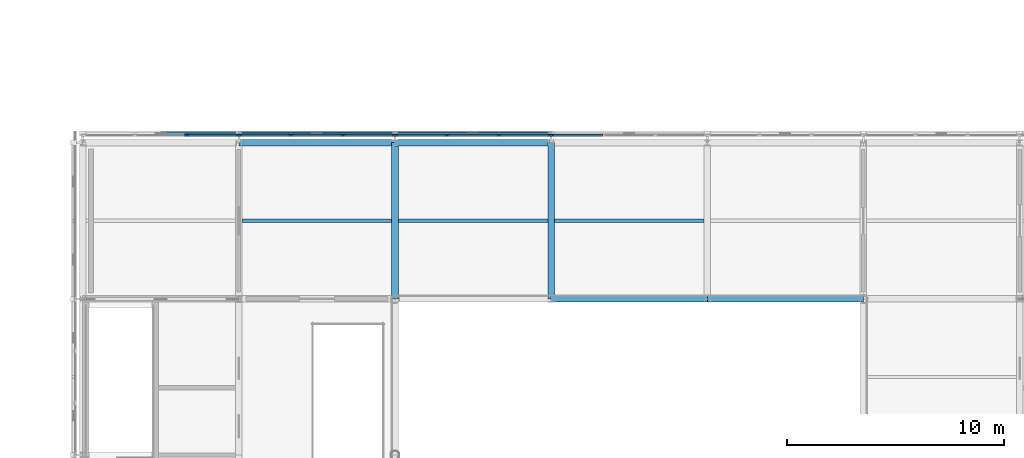
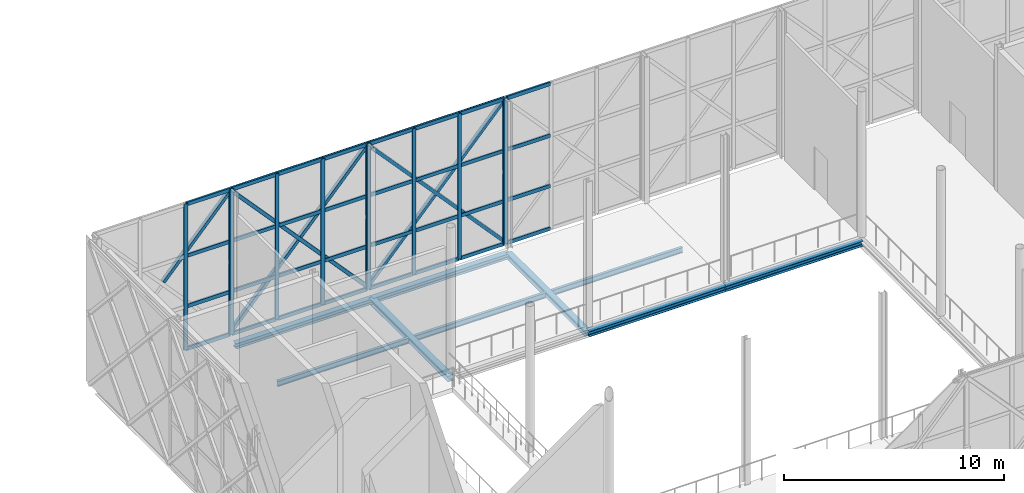
# One storey, part 16 of 76: 52 members, 9 beams, 4 elements without a shape of their own.
"""IFC4 building model written with IfcOpenShell, lengths in metres."""

from ifc_helpers import new_model, si_unit, direction, frame, origin, origin_2d, place, context, subcontext, project, spatial, rectangle, hollow_rectangle, i_section, extrude, material, material_profile, profile_set, type_object, element, aggregate, save


model = new_model("IFC4")

# Units and contexts
model_context = context("Model", 3, precision=1e-05, world=origin(), true_north=direction((0.0, 1.0)))
body_context = subcontext(model_context, "Body", "Model", "MODEL_VIEW")
ifc_project = project(units=[si_unit("LENGTHUNIT", "METRE"), si_unit("AREAUNIT", "SQUARE_METRE"), si_unit("VOLUMEUNIT", "CUBIC_METRE"), si_unit("PLANEANGLEUNIT", "RADIAN"), si_unit("MASSUNIT", "GRAM", prefix="KILO")], contexts=[model_context])

# Site, building, storey
site_placement = place(None, origin())
site = spatial("IfcSite", under=ifc_project, at=site_placement, CompositionType="ELEMENT")
building_placement = place(site_placement, origin())
building = spatial("IfcBuilding", under=site, at=building_placement, Name="Zlatovets Crest Museum", CompositionType="ELEMENT")
storey_placement = place(building_placement, frame((0.0, 0.0, 17.10009765625)))
storey = spatial("IfcBuildingStorey", under=building, at=storey_placement, Name="L04", CompositionType="ELEMENT", Elevation=17.10009765625)

# Beams
ifc_material_1 = material(Name="Structural steel S355J2", Category="steel")
ifc_material_profile_1 = material_profile(ifc_material_1, i_section(OverallWidth=0.300048828125, OverallDepth=0.31005859375, WebThickness=0.009033203125, FlangeThickness=0.015380859375, FilletRadius=0.027099609375, at=origin_2d()), Name="HEA 320")
ifc_profile_set_1 = profile_set([ifc_material_profile_1], Name="Structural steel S355J2")
beam_type_1 = type_object("IfcBeamType", Name="Beam_B-04", PredefinedType="BEAM", material=ifc_profile_set_1)
for number, where, z_axis, x_axis, name in (
    (1, (72.0, 21.60009765625, -0.39501953125), (0.0, 1.0, 0.0), (-1.0, 0.0, 0.0), "V2 L04 Grid Beam B-04"),
    (2, (79.199951171875, 21.60009765625, -0.39501953125), (0.0, 1.0, 0.0), (-1.0, 0.0, 0.0), "V2 L04 Grid Beam B-04"),
):
    element("IfcBeam", number, at=place(storey_placement, frame(where, z_axis=z_axis, x_axis=x_axis)), inside=storey, type_object=beam_type_1, Name=name, PredefinedType="BEAM", context=body_context, shape_type="SweptSolid", body=[
        extrude(i_section(OverallWidth=0.300048828125, OverallDepth=0.31005859375, WebThickness=0.009033203125, FlangeThickness=0.015380859375, FilletRadius=0.027099609375, at=origin_2d()), origin(), (0.0, 0.0, 1.0), 7.199951171875),
    ])
ifc_material_profile_2 = material_profile(ifc_material_1, i_section(OverallWidth=0.300048828125, OverallDepth=0.2900390625, WebThickness=0.008544921875, FlangeThickness=0.013916015625, FilletRadius=0.027099609375, at=origin_2d()), Name="HEA 300")
ifc_profile_set_2 = profile_set([ifc_material_profile_2], Name="Structural steel S355J2")
beam_type_2 = type_object("IfcBeamType", Name="Beam_B-12", PredefinedType="BEAM", material=ifc_profile_set_2)
beam_1_placement = place(storey_placement, frame((79.199951171875, 21.60009765625, -0.385009765625), z_axis=(1.0, 0.0, 0.0), x_axis=(0.0, 1.0, 0.0)))
element("IfcBeam", 3, at=beam_1_placement, inside=storey, type_object=beam_type_2, Name="V2 L04 Primary Girder B-12", PredefinedType="BEAM", context=body_context, shape_type="SweptSolid", body=[
    extrude(i_section(OverallWidth=0.300048828125, OverallDepth=0.2900390625, WebThickness=0.008544921875, FlangeThickness=0.013916015625, FilletRadius=0.027099609375, at=origin_2d()), origin(), (0.0, 0.0, 1.0), 7.199951171875),
])
beam_2_placement = place(storey_placement, frame((86.39990234375, 21.60009765625, -0.385009765625), z_axis=(1.0, 0.0, 0.0), x_axis=(0.0, 1.0, 0.0)))
element("IfcBeam", 4, at=beam_2_placement, inside=storey, type_object=beam_type_2, Name="V2 L04 Primary Girder B-12", PredefinedType="BEAM", context=body_context, shape_type="SweptSolid", body=[
    extrude(i_section(OverallWidth=0.300048828125, OverallDepth=0.2900390625, WebThickness=0.008544921875, FlangeThickness=0.013916015625, FilletRadius=0.027099609375, at=origin_2d()), origin(), (0.0, 0.0, 1.0), 7.2001953125),
])
for number, where, z_axis, x_axis, name in (
    (5, (64.800048828125, 28.800048828125, -0.385009765625), (1.0, 0.0, 0.0), (0.0, 1.0, 0.0), "V2 L04 Primary Girder B-12"),
    (6, (72.0, 28.800048828125, -0.385009765625), (1.0, 0.0, 0.0), (0.0, 1.0, 0.0), "V2 L04 Primary Girder B-12"),
):
    element("IfcBeam", number, at=place(storey_placement, frame(where, z_axis=z_axis, x_axis=x_axis)), inside=storey, type_object=beam_type_2, Name=name, PredefinedType="BEAM", context=body_context, shape_type="SweptSolid", body=[
        extrude(i_section(OverallWidth=0.300048828125, OverallDepth=0.2900390625, WebThickness=0.008544921875, FlangeThickness=0.013916015625, FilletRadius=0.027099609375, at=origin_2d()), origin(), (0.0, 0.0, 1.0), 7.199951171875),
    ])
ifc_material_profile_3 = material_profile(ifc_material_1, i_section(OverallWidth=0.14990234375, OverallDepth=0.300048828125, WebThickness=0.007080078125, FlangeThickness=0.0107421875, FilletRadius=0.014892578125, at=origin_2d()), Name="IPE 300")
ifc_profile_set_3 = profile_set([ifc_material_profile_3], Name="Structural steel S355J2")
beam_type_3 = type_object("IfcBeamType", Name="Beam_J-02", PredefinedType="JOIST", material=ifc_profile_set_3)
for number, where, z_axis, x_axis, name in (
    (7, (64.949951171875, 25.199951171875, -0.39013671875), (1.0, 0.0, 0.0), (0.0, 1.0, 0.0), "V2 L04 Composite Joist J-02"),
    (8, (72.14990234375, 25.199951171875, -0.39013671875), (1.0, 0.0, 0.0), (0.0, 1.0, 0.0), "V2 L04 Composite Joist J-02"),
):
    element("IfcBeam", number, at=place(storey_placement, frame(where, z_axis=z_axis, x_axis=x_axis)), inside=storey, type_object=beam_type_3, Name=name, PredefinedType="JOIST", context=body_context, shape_type="SweptSolid", body=[
        extrude(i_section(OverallWidth=0.14990234375, OverallDepth=0.300048828125, WebThickness=0.007080078125, FlangeThickness=0.0107421875, FilletRadius=0.014892578125, at=origin_2d()), origin(), (0.0, 0.0, 1.0), 6.900146484375),
    ])
beam_3_placement = place(storey_placement, frame((79.35009765625, 25.199951171875, -0.39013671875), z_axis=(1.0, 0.0, 0.0), x_axis=(0.0, 1.0, 0.0)))
element("IfcBeam", 9, at=beam_3_placement, inside=storey, type_object=beam_type_3, Name="V2 L04 Composite Joist J-02", PredefinedType="JOIST", context=body_context, shape_type="SweptSolid", body=[
    extrude(i_section(OverallWidth=0.14990234375, OverallDepth=0.300048828125, WebThickness=0.007080078125, FlangeThickness=0.0107421875, FilletRadius=0.014892578125, at=origin_2d()), origin(), (0.0, 0.0, 1.0), 6.89990234375),
])

# Curtain wall, member
ifc_material_2 = material(Name="Bronze-anodised aluminium and low-E triple glass", Category="aluminium")
curtain_wall_type_1 = type_object("IfcCurtainWallType", Name="CW_CW-V2-L04-M2", PredefinedType="NOTDEFINED", material=ifc_material_2)
curtain_wall_1_placement = place(storey_placement, origin())
curtain_wall_1 = element("IfcCurtainWall", 10, at=curtain_wall_1_placement, inside=storey, type_object=curtain_wall_type_1, Name="V2 L04 Secession Foyer Clear Curtain Wall", PredefinedType="NOTDEFINED")
ifc_material_3 = material(Name="Bronze-anodised aluminium EN AW-6060", Category="aluminium")
ifc_material_profile_4 = material_profile(ifc_material_3, rectangle(XDim=0.090087890625, YDim=0.199951171875, at=origin_2d()), Name="ALU 90x200")
ifc_profile_set_4 = profile_set([ifc_material_profile_4], Name="Bronze-anodised aluminium EN AW-6060")
member_type_1 = type_object("IfcMemberType", Name="CWMull_M2", PredefinedType="MULLION", material=ifc_profile_set_4)
member_1_placement = place(storey_placement, frame((79.22998046875, 29.139892578125, 0.0), z_axis=(0.0, 0.0, 1.0), x_axis=(0.0, -1.0, 0.0)))
member_1 = element("IfcMember", 11, at=member_1_placement, type_object=member_type_1, Name="CW-V2-L04-M2 mullion 4", PredefinedType="MULLION", context=body_context, shape_type="SweptSolid", body=[
    extrude(rectangle(XDim=0.090087890625, YDim=0.199951171875, at=origin_2d()), origin(), (0.0, 0.0, 1.0), 8.099853515625),
])

# Curtain wall, members
curtain_wall_type_2 = type_object("IfcCurtainWallType", Name="CW_CW-V2-L04-M3", PredefinedType="NOTDEFINED", material=ifc_material_2)
curtain_wall_2_placement = place(storey_placement, origin())
curtain_wall_2 = element("IfcCurtainWall", 12, at=curtain_wall_2_placement, inside=storey, type_object=curtain_wall_type_2, Name="V2 L04 Secession Foyer Clear Curtain Wall", PredefinedType="NOTDEFINED")
member_2_placement = place(storey_placement, frame((79.169921875, 29.139892578125, 0.0), z_axis=(0.0, 0.0, 1.0), x_axis=(0.0, -1.0, 0.0)))
member_2 = element("IfcMember", 13, at=member_2_placement, type_object=member_type_1, Name="CW-V2-L04-M3 mullion 1", PredefinedType="MULLION", context=body_context, shape_type="SweptSolid", body=[
    extrude(rectangle(XDim=0.090087890625, YDim=0.199951171875, at=origin_2d()), origin(), (0.0, 0.0, 1.0), 8.099853515625),
])
member_3_placement = place(storey_placement, frame((76.800048828125, 29.139892578125, 0.0), z_axis=(0.0, 0.0, 1.0), x_axis=(0.0, -1.0, 0.0)))
member_3 = element("IfcMember", 14, at=member_3_placement, type_object=member_type_1, Name="CW-V2-L04-M3 mullion 2", PredefinedType="MULLION", context=body_context, shape_type="SweptSolid", body=[
    extrude(rectangle(XDim=0.090087890625, YDim=0.199951171875, at=origin_2d()), origin(), (0.0, 0.0, 1.0), 8.099853515625),
])
member_4_placement = place(storey_placement, frame((74.39990234375, 29.139892578125, 0.0), z_axis=(0.0, 0.0, 1.0), x_axis=(0.0, -1.0, 0.0)))
member_4 = element("IfcMember", 15, at=member_4_placement, type_object=member_type_1, Name="CW-V2-L04-M3 mullion 3", PredefinedType="MULLION", context=body_context, shape_type="SweptSolid", body=[
    extrude(rectangle(XDim=0.090087890625, YDim=0.199951171875, at=origin_2d()), origin(), (0.0, 0.0, 1.0), 8.099853515625),
])
member_5_placement = place(storey_placement, frame((72.030029296875, 29.139892578125, 0.0), z_axis=(0.0, 0.0, 1.0), x_axis=(0.0, -1.0, 0.0)))
member_5 = element("IfcMember", 16, at=member_5_placement, type_object=member_type_1, Name="CW-V2-L04-M3 mullion 4", PredefinedType="MULLION", context=body_context, shape_type="SweptSolid", body=[
    extrude(rectangle(XDim=0.090087890625, YDim=0.199951171875, at=origin_2d()), origin(), (0.0, 0.0, 1.0), 8.099853515625),
])

curtain_wall_type_3 = type_object("IfcCurtainWallType", Name="CW_CW-V2-L04-M0", PredefinedType="NOTDEFINED", material=ifc_material_2)
curtain_wall_3_placement = place(storey_placement, origin())
curtain_wall_3 = element("IfcCurtainWall", 17, at=curtain_wall_3_placement, inside=storey, type_object=curtain_wall_type_3, Name="V2 L04 Secession Foyer Clear Curtain Wall", PredefinedType="NOTDEFINED")
member_6_placement = place(storey_placement, frame((71.969970703125, 29.139892578125, 0.0), z_axis=(0.0, 0.0, 1.0), x_axis=(0.0, -1.0, 0.0)))
member_6 = element("IfcMember", 18, at=member_6_placement, type_object=member_type_1, Name="CW-V2-L04-M0 mullion 1", PredefinedType="MULLION", context=body_context, shape_type="SweptSolid", body=[
    extrude(rectangle(XDim=0.090087890625, YDim=0.199951171875, at=origin_2d()), origin(), (0.0, 0.0, 1.0), 8.099853515625),
])
member_7_placement = place(storey_placement, frame((69.60009765625, 29.139892578125, 0.0), z_axis=(0.0, 0.0, 1.0), x_axis=(0.0, -1.0, 0.0)))
member_7 = element("IfcMember", 19, at=member_7_placement, type_object=member_type_1, Name="CW-V2-L04-M0 mullion 2", PredefinedType="MULLION", context=body_context, shape_type="SweptSolid", body=[
    extrude(rectangle(XDim=0.090087890625, YDim=0.199951171875, at=origin_2d()), origin(), (0.0, 0.0, 1.0), 8.099853515625),
])
member_8_placement = place(storey_placement, frame((67.199951171875, 29.139892578125, 0.0), z_axis=(0.0, 0.0, 1.0), x_axis=(0.0, -1.0, 0.0)))
member_8 = element("IfcMember", 20, at=member_8_placement, type_object=member_type_1, Name="CW-V2-L04-M0 mullion 3", PredefinedType="MULLION", context=body_context, shape_type="SweptSolid", body=[
    extrude(rectangle(XDim=0.090087890625, YDim=0.199951171875, at=origin_2d()), origin(), (0.0, 0.0, 1.0), 8.099853515625),
])
member_9_placement = place(storey_placement, frame((64.830078125, 29.139892578125, 0.0), z_axis=(0.0, 0.0, 1.0), x_axis=(0.0, -1.0, 0.0)))
member_9 = element("IfcMember", 21, at=member_9_placement, type_object=member_type_1, Name="CW-V2-L04-M0 mullion 4", PredefinedType="MULLION", context=body_context, shape_type="SweptSolid", body=[
    extrude(rectangle(XDim=0.090087890625, YDim=0.199951171875, at=origin_2d()), origin(), (0.0, 0.0, 1.0), 8.099853515625),
])

curtain_wall_type_4 = type_object("IfcCurtainWallType", Name="CW_CW-V2-L04-M1", PredefinedType="NOTDEFINED", material=ifc_material_2)
curtain_wall_4_placement = place(storey_placement, origin())
curtain_wall_4 = element("IfcCurtainWall", 22, at=curtain_wall_4_placement, inside=storey, type_object=curtain_wall_type_4, Name="V2 L04 Secession Foyer Clear Curtain Wall", PredefinedType="NOTDEFINED")
member_10_placement = place(storey_placement, frame((64.77001953125, 29.139892578125, 0.0), z_axis=(0.0, 0.0, 1.0), x_axis=(0.0, -1.0, 0.0)))
member_10 = element("IfcMember", 23, at=member_10_placement, type_object=member_type_1, Name="CW-V2-L04-M1 mullion 1", PredefinedType="MULLION", context=body_context, shape_type="SweptSolid", body=[
    extrude(rectangle(XDim=0.090087890625, YDim=0.199951171875, at=origin_2d()), origin(), (0.0, 0.0, 1.0), 8.099853515625),
])
member_11_placement = place(storey_placement, frame((62.39990234375, 29.139892578125, 0.0), z_axis=(0.0, 0.0, 1.0), x_axis=(0.0, -1.0, 0.0)))
member_11 = element("IfcMember", 24, at=member_11_placement, type_object=member_type_1, Name="CW-V2-L04-M1 mullion 2", PredefinedType="MULLION", context=body_context, shape_type="SweptSolid", body=[
    extrude(rectangle(XDim=0.090087890625, YDim=0.199951171875, at=origin_2d()), origin(), (0.0, 0.0, 1.0), 8.099853515625),
])

# Member
ifc_material_profile_5 = material_profile(ifc_material_3, rectangle(XDim=0.090087890625, YDim=0.199951171875, at=origin_2d()), Name="ALU 90x200")
ifc_profile_set_5 = profile_set([ifc_material_profile_5], Name="Bronze-anodised aluminium EN AW-6060")
member_type_2 = type_object("IfcMemberType", Name="CWTrans_T2", PredefinedType="USERDEFINED", material=ifc_profile_set_5)
member_12_placement = place(storey_placement, frame((81.570068359375, 29.139892578125, 0.02978515625), z_axis=(-1.0, 0.0, 0.0), x_axis=(0.0, -1.0, 0.0)))
member_12 = element("IfcMember", 25, at=member_12_placement, type_object=member_type_2, Name="CW-V2-L04-M2 transom 3.1", ObjectType="TRANSOM", PredefinedType="USERDEFINED", context=body_context, shape_type="SweptSolid", body=[
    extrude(rectangle(XDim=0.090087890625, YDim=0.199951171875, at=origin_2d()), origin(), (0.0, 0.0, 1.0), 2.31005859375),
])

member_13_placement = place(storey_placement, frame((81.570068359375, 29.139892578125, 2.39990234375), z_axis=(-1.0, 0.0, 0.0), x_axis=(0.0, -1.0, 0.0)))
member_13 = element("IfcMember", 26, at=member_13_placement, type_object=member_type_2, Name="CW-V2-L04-M2 transom 3.2", ObjectType="TRANSOM", PredefinedType="USERDEFINED", context=body_context, shape_type="SweptSolid", body=[
    extrude(rectangle(XDim=0.090087890625, YDim=0.199951171875, at=origin_2d()), origin(), (0.0, 0.0, 1.0), 2.31005859375),
])

member_14_placement = place(storey_placement, frame((81.570068359375, 29.139892578125, 5.199951171875), z_axis=(-1.0, 0.0, 0.0), x_axis=(0.0, -1.0, 0.0)))
member_14 = element("IfcMember", 27, at=member_14_placement, type_object=member_type_2, Name="CW-V2-L04-M2 transom 3.3", ObjectType="TRANSOM", PredefinedType="USERDEFINED", context=body_context, shape_type="SweptSolid", body=[
    extrude(rectangle(XDim=0.090087890625, YDim=0.199951171875, at=origin_2d()), origin(), (0.0, 0.0, 1.0), 2.31005859375),
])

member_15_placement = place(storey_placement, frame((81.570068359375, 29.139892578125, 8.06982421875), z_axis=(-1.0, 0.0, 0.0), x_axis=(0.0, -1.0, 0.0)))
member_15 = element("IfcMember", 28, at=member_15_placement, type_object=member_type_2, Name="CW-V2-L04-M2 transom 3.4", ObjectType="TRANSOM", PredefinedType="USERDEFINED", context=body_context, shape_type="SweptSolid", body=[
    extrude(rectangle(XDim=0.090087890625, YDim=0.199951171875, at=origin_2d()), origin(), (0.0, 0.0, 1.0), 2.31005859375),
])

aggregate(curtain_wall_1, [member_1, member_12, member_13, member_14, member_15])

member_16_placement = place(storey_placement, frame((79.139892578125, 29.139892578125, 0.02978515625), z_axis=(-1.0, 0.0, 0.0), x_axis=(0.0, -1.0, 0.0)))
member_16 = element("IfcMember", 29, at=member_16_placement, type_object=member_type_2, Name="CW-V2-L04-M3 transom 1.1", ObjectType="TRANSOM", PredefinedType="USERDEFINED", context=body_context, shape_type="SweptSolid", body=[
    extrude(rectangle(XDim=0.090087890625, YDim=0.199951171875, at=origin_2d()), origin(), (0.0, 0.0, 1.0), 2.309814453125),
])

member_17_placement = place(storey_placement, frame((79.139892578125, 29.139892578125, 2.39990234375), z_axis=(-1.0, 0.0, 0.0), x_axis=(0.0, -1.0, 0.0)))
member_17 = element("IfcMember", 30, at=member_17_placement, type_object=member_type_2, Name="CW-V2-L04-M3 transom 1.2", ObjectType="TRANSOM", PredefinedType="USERDEFINED", context=body_context, shape_type="SweptSolid", body=[
    extrude(rectangle(XDim=0.090087890625, YDim=0.199951171875, at=origin_2d()), origin(), (0.0, 0.0, 1.0), 2.309814453125),
])

member_18_placement = place(storey_placement, frame((79.139892578125, 29.139892578125, 5.199951171875), z_axis=(-1.0, 0.0, 0.0), x_axis=(0.0, -1.0, 0.0)))
member_18 = element("IfcMember", 31, at=member_18_placement, type_object=member_type_2, Name="CW-V2-L04-M3 transom 1.3", ObjectType="TRANSOM", PredefinedType="USERDEFINED", context=body_context, shape_type="SweptSolid", body=[
    extrude(rectangle(XDim=0.090087890625, YDim=0.199951171875, at=origin_2d()), origin(), (0.0, 0.0, 1.0), 2.309814453125),
])

member_19_placement = place(storey_placement, frame((79.139892578125, 29.139892578125, 8.06982421875), z_axis=(-1.0, 0.0, 0.0), x_axis=(0.0, -1.0, 0.0)))
member_19 = element("IfcMember", 32, at=member_19_placement, type_object=member_type_2, Name="CW-V2-L04-M3 transom 1.4", ObjectType="TRANSOM", PredefinedType="USERDEFINED", context=body_context, shape_type="SweptSolid", body=[
    extrude(rectangle(XDim=0.090087890625, YDim=0.199951171875, at=origin_2d()), origin(), (0.0, 0.0, 1.0), 2.309814453125),
])

member_20_placement = place(storey_placement, frame((76.77001953125, 29.139892578125, 0.02978515625), z_axis=(-1.0, 0.0, 0.0), x_axis=(0.0, -1.0, 0.0)))
member_20 = element("IfcMember", 33, at=member_20_placement, type_object=member_type_2, Name="CW-V2-L04-M3 transom 2.1", ObjectType="TRANSOM", PredefinedType="USERDEFINED", context=body_context, shape_type="SweptSolid", body=[
    extrude(rectangle(XDim=0.090087890625, YDim=0.199951171875, at=origin_2d()), origin(), (0.0, 0.0, 1.0), 2.340087890625),
])

member_21_placement = place(storey_placement, frame((76.77001953125, 29.139892578125, 2.39990234375), z_axis=(-1.0, 0.0, 0.0), x_axis=(0.0, -1.0, 0.0)))
member_21 = element("IfcMember", 34, at=member_21_placement, type_object=member_type_2, Name="CW-V2-L04-M3 transom 2.2", ObjectType="TRANSOM", PredefinedType="USERDEFINED", context=body_context, shape_type="SweptSolid", body=[
    extrude(rectangle(XDim=0.090087890625, YDim=0.199951171875, at=origin_2d()), origin(), (0.0, 0.0, 1.0), 2.340087890625),
])

member_22_placement = place(storey_placement, frame((76.77001953125, 29.139892578125, 5.199951171875), z_axis=(-1.0, 0.0, 0.0), x_axis=(0.0, -1.0, 0.0)))
member_22 = element("IfcMember", 35, at=member_22_placement, type_object=member_type_2, Name="CW-V2-L04-M3 transom 2.3", ObjectType="TRANSOM", PredefinedType="USERDEFINED", context=body_context, shape_type="SweptSolid", body=[
    extrude(rectangle(XDim=0.090087890625, YDim=0.199951171875, at=origin_2d()), origin(), (0.0, 0.0, 1.0), 2.340087890625),
])

member_23_placement = place(storey_placement, frame((76.77001953125, 29.139892578125, 8.06982421875), z_axis=(-1.0, 0.0, 0.0), x_axis=(0.0, -1.0, 0.0)))
member_23 = element("IfcMember", 36, at=member_23_placement, type_object=member_type_2, Name="CW-V2-L04-M3 transom 2.4", ObjectType="TRANSOM", PredefinedType="USERDEFINED", context=body_context, shape_type="SweptSolid", body=[
    extrude(rectangle(XDim=0.090087890625, YDim=0.199951171875, at=origin_2d()), origin(), (0.0, 0.0, 1.0), 2.340087890625),
])

member_24_placement = place(storey_placement, frame((74.3701171875, 29.139892578125, 0.02978515625), z_axis=(-1.0, 0.0, 0.0), x_axis=(0.0, -1.0, 0.0)))
member_24 = element("IfcMember", 37, at=member_24_placement, type_object=member_type_2, Name="CW-V2-L04-M3 transom 3.1", ObjectType="TRANSOM", PredefinedType="USERDEFINED", context=body_context, shape_type="SweptSolid", body=[
    extrude(rectangle(XDim=0.090087890625, YDim=0.199951171875, at=origin_2d()), origin(), (0.0, 0.0, 1.0), 2.31005859375),
])

member_25_placement = place(storey_placement, frame((74.3701171875, 29.139892578125, 2.39990234375), z_axis=(-1.0, 0.0, 0.0), x_axis=(0.0, -1.0, 0.0)))
member_25 = element("IfcMember", 38, at=member_25_placement, type_object=member_type_2, Name="CW-V2-L04-M3 transom 3.2", ObjectType="TRANSOM", PredefinedType="USERDEFINED", context=body_context, shape_type="SweptSolid", body=[
    extrude(rectangle(XDim=0.090087890625, YDim=0.199951171875, at=origin_2d()), origin(), (0.0, 0.0, 1.0), 2.31005859375),
])

member_26_placement = place(storey_placement, frame((74.3701171875, 29.139892578125, 5.199951171875), z_axis=(-1.0, 0.0, 0.0), x_axis=(0.0, -1.0, 0.0)))
member_26 = element("IfcMember", 39, at=member_26_placement, type_object=member_type_2, Name="CW-V2-L04-M3 transom 3.3", ObjectType="TRANSOM", PredefinedType="USERDEFINED", context=body_context, shape_type="SweptSolid", body=[
    extrude(rectangle(XDim=0.090087890625, YDim=0.199951171875, at=origin_2d()), origin(), (0.0, 0.0, 1.0), 2.31005859375),
])

member_27_placement = place(storey_placement, frame((74.3701171875, 29.139892578125, 8.06982421875), z_axis=(-1.0, 0.0, 0.0), x_axis=(0.0, -1.0, 0.0)))
member_27 = element("IfcMember", 40, at=member_27_placement, type_object=member_type_2, Name="CW-V2-L04-M3 transom 3.4", ObjectType="TRANSOM", PredefinedType="USERDEFINED", context=body_context, shape_type="SweptSolid", body=[
    extrude(rectangle(XDim=0.090087890625, YDim=0.199951171875, at=origin_2d()), origin(), (0.0, 0.0, 1.0), 2.31005859375),
])

aggregate(curtain_wall_2, [member_2, member_3, member_4, member_5, member_16, member_17, member_18, member_19, member_20, member_21, member_22, member_23, member_24, member_25, member_26, member_27])

member_28_placement = place(storey_placement, frame((71.93994140625, 29.139892578125, 0.02978515625), z_axis=(-1.0, 0.0, 0.0), x_axis=(0.0, -1.0, 0.0)))
member_28 = element("IfcMember", 41, at=member_28_placement, type_object=member_type_2, Name="CW-V2-L04-M0 transom 1.1", ObjectType="TRANSOM", PredefinedType="USERDEFINED", context=body_context, shape_type="SweptSolid", body=[
    extrude(rectangle(XDim=0.090087890625, YDim=0.199951171875, at=origin_2d()), origin(), (0.0, 0.0, 1.0), 2.31005859375),
])

member_29_placement = place(storey_placement, frame((71.93994140625, 29.139892578125, 2.39990234375), z_axis=(-1.0, 0.0, 0.0), x_axis=(0.0, -1.0, 0.0)))
member_29 = element("IfcMember", 42, at=member_29_placement, type_object=member_type_2, Name="CW-V2-L04-M0 transom 1.2", ObjectType="TRANSOM", PredefinedType="USERDEFINED", context=body_context, shape_type="SweptSolid", body=[
    extrude(rectangle(XDim=0.090087890625, YDim=0.199951171875, at=origin_2d()), origin(), (0.0, 0.0, 1.0), 2.31005859375),
])

member_30_placement = place(storey_placement, frame((71.93994140625, 29.139892578125, 5.199951171875), z_axis=(-1.0, 0.0, 0.0), x_axis=(0.0, -1.0, 0.0)))
member_30 = element("IfcMember", 43, at=member_30_placement, type_object=member_type_2, Name="CW-V2-L04-M0 transom 1.3", ObjectType="TRANSOM", PredefinedType="USERDEFINED", context=body_context, shape_type="SweptSolid", body=[
    extrude(rectangle(XDim=0.090087890625, YDim=0.199951171875, at=origin_2d()), origin(), (0.0, 0.0, 1.0), 2.31005859375),
])

member_31_placement = place(storey_placement, frame((71.93994140625, 29.139892578125, 8.06982421875), z_axis=(-1.0, 0.0, 0.0), x_axis=(0.0, -1.0, 0.0)))
member_31 = element("IfcMember", 44, at=member_31_placement, type_object=member_type_2, Name="CW-V2-L04-M0 transom 1.4", ObjectType="TRANSOM", PredefinedType="USERDEFINED", context=body_context, shape_type="SweptSolid", body=[
    extrude(rectangle(XDim=0.090087890625, YDim=0.199951171875, at=origin_2d()), origin(), (0.0, 0.0, 1.0), 2.31005859375),
])

member_32_placement = place(storey_placement, frame((69.570068359375, 29.139892578125, 0.02978515625), z_axis=(-1.0, 0.0, 0.0), x_axis=(0.0, -1.0, 0.0)))
member_32 = element("IfcMember", 45, at=member_32_placement, type_object=member_type_2, Name="CW-V2-L04-M0 transom 2.1", ObjectType="TRANSOM", PredefinedType="USERDEFINED", context=body_context, shape_type="SweptSolid", body=[
    extrude(rectangle(XDim=0.090087890625, YDim=0.199951171875, at=origin_2d()), origin(), (0.0, 0.0, 1.0), 2.340087890625),
])

member_33_placement = place(storey_placement, frame((69.570068359375, 29.139892578125, 2.39990234375), z_axis=(-1.0, 0.0, 0.0), x_axis=(0.0, -1.0, 0.0)))
member_33 = element("IfcMember", 46, at=member_33_placement, type_object=member_type_2, Name="CW-V2-L04-M0 transom 2.2", ObjectType="TRANSOM", PredefinedType="USERDEFINED", context=body_context, shape_type="SweptSolid", body=[
    extrude(rectangle(XDim=0.090087890625, YDim=0.199951171875, at=origin_2d()), origin(), (0.0, 0.0, 1.0), 2.340087890625),
])

member_34_placement = place(storey_placement, frame((69.570068359375, 29.139892578125, 5.199951171875), z_axis=(-1.0, 0.0, 0.0), x_axis=(0.0, -1.0, 0.0)))
member_34 = element("IfcMember", 47, at=member_34_placement, type_object=member_type_2, Name="CW-V2-L04-M0 transom 2.3", ObjectType="TRANSOM", PredefinedType="USERDEFINED", context=body_context, shape_type="SweptSolid", body=[
    extrude(rectangle(XDim=0.090087890625, YDim=0.199951171875, at=origin_2d()), origin(), (0.0, 0.0, 1.0), 2.340087890625),
])

member_35_placement = place(storey_placement, frame((69.570068359375, 29.139892578125, 8.06982421875), z_axis=(-1.0, 0.0, 0.0), x_axis=(0.0, -1.0, 0.0)))
member_35 = element("IfcMember", 48, at=member_35_placement, type_object=member_type_2, Name="CW-V2-L04-M0 transom 2.4", ObjectType="TRANSOM", PredefinedType="USERDEFINED", context=body_context, shape_type="SweptSolid", body=[
    extrude(rectangle(XDim=0.090087890625, YDim=0.199951171875, at=origin_2d()), origin(), (0.0, 0.0, 1.0), 2.340087890625),
])

member_36_placement = place(storey_placement, frame((67.169921875, 29.139892578125, 0.02978515625), z_axis=(-1.0, 0.0, 0.0), x_axis=(0.0, -1.0, 0.0)))
member_36 = element("IfcMember", 49, at=member_36_placement, type_object=member_type_2, Name="CW-V2-L04-M0 transom 3.1", ObjectType="TRANSOM", PredefinedType="USERDEFINED", context=body_context, shape_type="SweptSolid", body=[
    extrude(rectangle(XDim=0.090087890625, YDim=0.199951171875, at=origin_2d()), origin(), (0.0, 0.0, 1.0), 2.309814453125),
])

member_37_placement = place(storey_placement, frame((67.169921875, 29.139892578125, 2.39990234375), z_axis=(-1.0, 0.0, 0.0), x_axis=(0.0, -1.0, 0.0)))
member_37 = element("IfcMember", 50, at=member_37_placement, type_object=member_type_2, Name="CW-V2-L04-M0 transom 3.2", ObjectType="TRANSOM", PredefinedType="USERDEFINED", context=body_context, shape_type="SweptSolid", body=[
    extrude(rectangle(XDim=0.090087890625, YDim=0.199951171875, at=origin_2d()), origin(), (0.0, 0.0, 1.0), 2.309814453125),
])

member_38_placement = place(storey_placement, frame((67.169921875, 29.139892578125, 5.199951171875), z_axis=(-1.0, 0.0, 0.0), x_axis=(0.0, -1.0, 0.0)))
member_38 = element("IfcMember", 51, at=member_38_placement, type_object=member_type_2, Name="CW-V2-L04-M0 transom 3.3", ObjectType="TRANSOM", PredefinedType="USERDEFINED", context=body_context, shape_type="SweptSolid", body=[
    extrude(rectangle(XDim=0.090087890625, YDim=0.199951171875, at=origin_2d()), origin(), (0.0, 0.0, 1.0), 2.309814453125),
])

member_39_placement = place(storey_placement, frame((67.169921875, 29.139892578125, 8.06982421875), z_axis=(-1.0, 0.0, 0.0), x_axis=(0.0, -1.0, 0.0)))
member_39 = element("IfcMember", 52, at=member_39_placement, type_object=member_type_2, Name="CW-V2-L04-M0 transom 3.4", ObjectType="TRANSOM", PredefinedType="USERDEFINED", context=body_context, shape_type="SweptSolid", body=[
    extrude(rectangle(XDim=0.090087890625, YDim=0.199951171875, at=origin_2d()), origin(), (0.0, 0.0, 1.0), 2.309814453125),
])

aggregate(curtain_wall_3, [member_6, member_7, member_8, member_9, member_28, member_29, member_30, member_31, member_32, member_33, member_34, member_35, member_36, member_37, member_38, member_39])

member_40_placement = place(storey_placement, frame((64.739990234375, 29.139892578125, 0.02978515625), z_axis=(-1.0, 0.0, 0.0), x_axis=(0.0, -1.0, 0.0)))
member_40 = element("IfcMember", 53, at=member_40_placement, type_object=member_type_2, Name="CW-V2-L04-M1 transom 1.1", ObjectType="TRANSOM", PredefinedType="USERDEFINED", context=body_context, shape_type="SweptSolid", body=[
    extrude(rectangle(XDim=0.090087890625, YDim=0.199951171875, at=origin_2d()), origin(), (0.0, 0.0, 1.0), 2.31005859375),
])

member_41_placement = place(storey_placement, frame((64.739990234375, 29.139892578125, 2.39990234375), z_axis=(-1.0, 0.0, 0.0), x_axis=(0.0, -1.0, 0.0)))
member_41 = element("IfcMember", 54, at=member_41_placement, type_object=member_type_2, Name="CW-V2-L04-M1 transom 1.2", ObjectType="TRANSOM", PredefinedType="USERDEFINED", context=body_context, shape_type="SweptSolid", body=[
    extrude(rectangle(XDim=0.090087890625, YDim=0.199951171875, at=origin_2d()), origin(), (0.0, 0.0, 1.0), 2.31005859375),
])

member_42_placement = place(storey_placement, frame((64.739990234375, 29.139892578125, 5.199951171875), z_axis=(-1.0, 0.0, 0.0), x_axis=(0.0, -1.0, 0.0)))
member_42 = element("IfcMember", 55, at=member_42_placement, type_object=member_type_2, Name="CW-V2-L04-M1 transom 1.3", ObjectType="TRANSOM", PredefinedType="USERDEFINED", context=body_context, shape_type="SweptSolid", body=[
    extrude(rectangle(XDim=0.090087890625, YDim=0.199951171875, at=origin_2d()), origin(), (0.0, 0.0, 1.0), 2.31005859375),
])

member_43_placement = place(storey_placement, frame((64.739990234375, 29.139892578125, 8.06982421875), z_axis=(-1.0, 0.0, 0.0), x_axis=(0.0, -1.0, 0.0)))
member_43 = element("IfcMember", 56, at=member_43_placement, type_object=member_type_2, Name="CW-V2-L04-M1 transom 1.4", ObjectType="TRANSOM", PredefinedType="USERDEFINED", context=body_context, shape_type="SweptSolid", body=[
    extrude(rectangle(XDim=0.090087890625, YDim=0.199951171875, at=origin_2d()), origin(), (0.0, 0.0, 1.0), 2.31005859375),
])

aggregate(curtain_wall_4, [member_10, member_11, member_40, member_41, member_42, member_43])

# Members
ifc_material_4 = material(Name="Weathering bronze-steel S355J2W", Category="steel")
ifc_material_profile_6 = material_profile(ifc_material_4, hollow_rectangle(XDim=0.199951171875, YDim=0.199951171875, WallThickness=0.012451171875, InnerFilletRadius=0.012451171875, OuterFilletRadius=0.02490234375, at=origin_2d()), Name="SHS 200x200x12.5")
ifc_profile_set_6 = profile_set([ifc_material_profile_6], Name="Weathering bronze-steel S355J2W")
member_type_3 = type_object("IfcMemberType", Name="Lattice_XL-02", PredefinedType="BRACE", material=ifc_profile_set_6)
member_44_placement = place(storey_placement, frame((79.199951171875, 29.219970703125, 0.099853515625), z_axis=(-0.673594270156, 0.0, 0.739101318639), x_axis=(0.0, -1.0, 0.0)))
element("IfcMember", 57, at=member_44_placement, inside=storey, type_object=member_type_3, Name="Continuous Bronze Lattice Diagonal", PredefinedType="BRACE", context=body_context, shape_type="SweptSolid", body=[
    extrude(hollow_rectangle(XDim=0.199951171875, YDim=0.199951171875, WallThickness=0.012451171875, InnerFilletRadius=0.012451171875, OuterFilletRadius=0.02490234375, at=origin_2d()), origin(), (0.0, 0.0, 1.0), 10.68896484375),
])
for number, where, z_axis, x_axis, name in (
    (58, (79.199951171875, 29.219970703125, 8.0), (-0.673582041572, 0.0, -0.73911246321), (0.0, -1.0, 0.0), "Split Crossing Bronze Lattice Diagonal Upper"),
    (59, (75.535888671875, 29.219970703125, 3.979736328125), (-0.673582041572, 0.0, -0.73911246321), (0.0, -1.0, 0.0), "Split Crossing Bronze Lattice Diagonal Lower"),
):
    element("IfcMember", number, at=place(storey_placement, frame(where, z_axis=z_axis, x_axis=x_axis)), inside=storey, type_object=member_type_3, Name=name, PredefinedType="BRACE", context=body_context, shape_type="SweptSolid", body=[
        extrude(hollow_rectangle(XDim=0.199951171875, YDim=0.199951171875, WallThickness=0.012451171875, InnerFilletRadius=0.012451171875, OuterFilletRadius=0.02490234375, at=origin_2d()), origin(), (0.0, 0.0, 1.0), 5.249267578125),
    ])
member_45_placement = place(storey_placement, frame((72.0, 29.219970703125, 0.099853515625), z_axis=(-0.673594270156, 0.0, 0.739101318639), x_axis=(0.0, -1.0, 0.0)))
element("IfcMember", 60, at=member_45_placement, inside=storey, type_object=member_type_3, Name="Continuous Bronze Lattice Diagonal", PredefinedType="BRACE", context=body_context, shape_type="SweptSolid", body=[
    extrude(hollow_rectangle(XDim=0.199951171875, YDim=0.199951171875, WallThickness=0.012451171875, InnerFilletRadius=0.012451171875, OuterFilletRadius=0.02490234375, at=origin_2d()), origin(), (0.0, 0.0, 1.0), 10.68896484375),
])
for number, where, z_axis, x_axis, name in (
    (61, (72.0, 29.219970703125, 8.0), (-0.673582041572, 0.0, -0.73911246321), (0.0, -1.0, 0.0), "Split Crossing Bronze Lattice Diagonal Upper"),
    (62, (68.3359375, 29.219970703125, 3.979736328125), (-0.673582041572, 0.0, -0.73911246321), (0.0, -1.0, 0.0), "Split Crossing Bronze Lattice Diagonal Lower"),
):
    element("IfcMember", number, at=place(storey_placement, frame(where, z_axis=z_axis, x_axis=x_axis)), inside=storey, type_object=member_type_3, Name=name, PredefinedType="BRACE", context=body_context, shape_type="SweptSolid", body=[
        extrude(hollow_rectangle(XDim=0.199951171875, YDim=0.199951171875, WallThickness=0.012451171875, InnerFilletRadius=0.012451171875, OuterFilletRadius=0.02490234375, at=origin_2d()), origin(), (0.0, 0.0, 1.0), 5.249267578125),
    ])
member_46_placement = place(storey_placement, frame((64.800048828125, 29.219970703125, 8.0), z_axis=(-0.673607447357, 0.0, -0.739089309127), x_axis=(0.0, -1.0, 0.0)))
element("IfcMember", 63, at=member_46_placement, inside=storey, type_object=member_type_3, Name="Split Crossing Bronze Lattice Diagonal Upper", PredefinedType="BRACE", context=body_context, shape_type="SweptSolid", body=[
    extrude(hollow_rectangle(XDim=0.199951171875, YDim=0.199951171875, WallThickness=0.012451171875, InnerFilletRadius=0.012451171875, OuterFilletRadius=0.02490234375, at=origin_2d()), origin(), (0.0, 0.0, 1.0), 5.24951171875),
])
ifc_material_profile_7 = material_profile(ifc_material_4, hollow_rectangle(XDim=0.1201171875, YDim=0.239990234375, WallThickness=0.010009765625, InnerFilletRadius=0.010009765625, OuterFilletRadius=0.02001953125, at=origin_2d()), Name="RHS 120x240x10.0")
ifc_profile_set_7 = profile_set([ifc_material_profile_7], Name="Weathering bronze-steel S355J2W")
member_type_4 = type_object("IfcMemberType", Name="Lattice_XL-04", PredefinedType="CHORD", material=ifc_profile_set_7)
for number, where, z_axis, x_axis, name in (
    (64, (79.199951171875, 29.219970703125, 8.0), (-1.0, 0.0, 0.0), (0.0, -1.0, 0.0), "Art Nouveau Woven Cage Collector Ring Chord"),
    (65, (72.0, 29.219970703125, 8.0), (-1.0, 0.0, 0.0), (0.0, -1.0, 0.0), "Art Nouveau Woven Cage Collector Ring Chord"),
):
    element("IfcMember", number, at=place(storey_placement, frame(where, z_axis=z_axis, x_axis=x_axis)), inside=storey, type_object=member_type_4, Name=name, PredefinedType="CHORD", context=body_context, shape_type="SweptSolid", body=[
        extrude(hollow_rectangle(XDim=0.1201171875, YDim=0.239990234375, WallThickness=0.010009765625, InnerFilletRadius=0.010009765625, OuterFilletRadius=0.02001953125, at=origin_2d()), origin(), (0.0, 0.0, 1.0), 7.199951171875),
    ])

save(model, "model.ifc")
